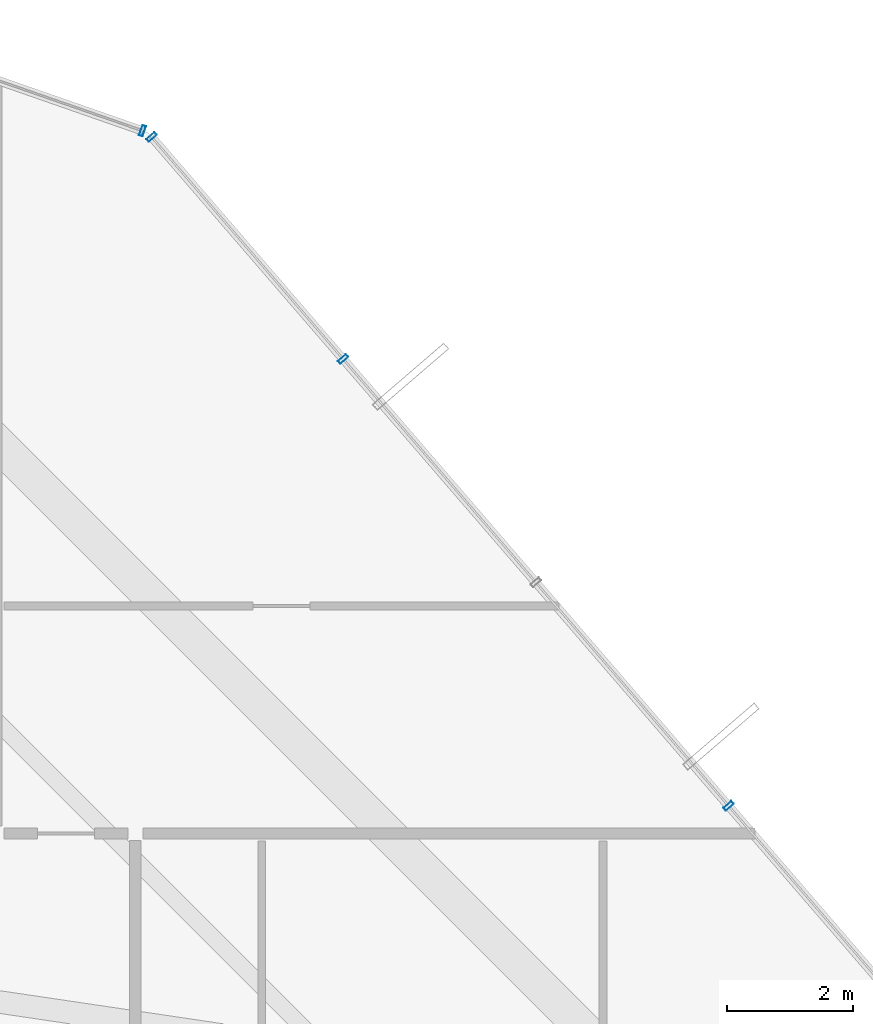
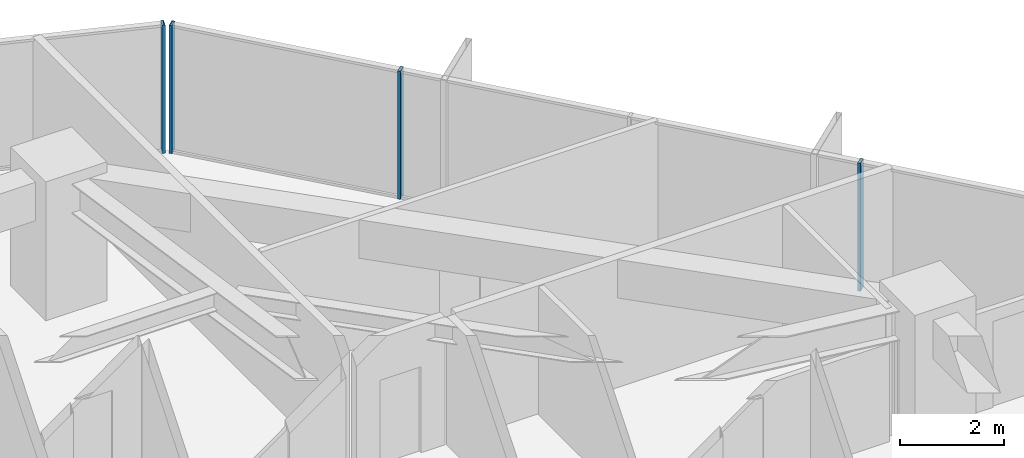
# One storey, part 31 of 38: 4 members, 2 elements without a shape of their own.
"""IFC4 building model written with IfcOpenShell, lengths in metres."""

from ifc_helpers import new_model, si_unit, direction, frame, origin, origin_2d, place, context, subcontext, project, spatial, hollow_rectangle, extrude, source, transform, mapped, material, layer, layer_set, material_profile, profile_set, type_object, element, aggregate, save


model = new_model("IFC4")

# Units and contexts
model_context = context("Model", 3, precision=1e-05, world=origin(), true_north=direction((0.0, 1.0)))
body_context = subcontext(model_context, "Body", "Model", "MODEL_VIEW")
ifc_project = project(units=[si_unit("LENGTHUNIT", "METRE"), si_unit("AREAUNIT", "SQUARE_METRE"), si_unit("VOLUMEUNIT", "CUBIC_METRE"), si_unit("PLANEANGLEUNIT", "RADIAN"), si_unit("MASSUNIT", "GRAM", prefix="KILO")], contexts=[model_context])

# Site, building, storey
site_placement = place(None, origin())
site = spatial("IfcSite", under=ifc_project, at=site_placement, CompositionType="ELEMENT")
building_placement = place(site_placement, origin())
building = spatial("IfcBuilding", under=site, at=building_placement, Name="Veraguas Prism Commons", CompositionType="ELEMENT")
storey_placement = place(building_placement, frame((0.0, 0.0, 60.85009765625)))
storey = spatial("IfcBuildingStorey", under=building, at=storey_placement, Name="L16", CompositionType="ELEMENT", Elevation=60.85009765625)

# Curtain wall, members
ifc_material = material(Name="Anodised aluminium EN AW-6063 T6", Category="aluminium")
ifc_layer = layer(ifc_material, 0.169921875, Name="Unitised Flush Curtain Wall Zone 1", Category="aluminium")
ifc_layer_set = layer_set([ifc_layer], Name="Anodised aluminium EN AW-6063 T6")
curtain_wall_type = type_object("IfcCurtainWallType", Name="Unitised Flush Curtain Wall Zone 1", PredefinedType="NOTDEFINED", material=ifc_layer_set)
curtain_wall_1_placement = place(storey_placement, origin())
curtain_wall_1 = element("IfcCurtainWall", 1, at=curtain_wall_1_placement, inside=storey, type_object=curtain_wall_type, Name="Tower Facade Curtain Wall L16-F1", PredefinedType="NOTDEFINED")
ifc_material_profile = material_profile(ifc_material, hollow_rectangle(XDim=0.06005859375, YDim=0.169921875, WallThickness=0.00390625, at=origin_2d()), Name="AL60X170X4")
ifc_profile_set = profile_set([ifc_material_profile], Name="Anodised aluminium EN AW-6063 T6")
member_type = type_object("IfcMemberType", Name="Curtain Wall Mullion Lower AL 60x170x4", PredefinedType="MULLION", material=ifc_profile_set)
shared_shape = source(origin(), body_context, "Body", "SweptSolid", [
    extrude(hollow_rectangle(XDim=0.06005859375, YDim=0.169921875, WallThickness=0.00390625, at=origin_2d()), origin(), (0.0, 0.0, 1.0), 3.0),
])
member_1_placement = place(storey_placement, frame((42.78955078125, 34.03857421875, 0.0), z_axis=(0.0, 0.0, 1.0), x_axis=(-0.653149715021, 0.757228796182, 0.0)))
member_1 = element("IfcMember", 2, at=member_1_placement, type_object=member_type, Name="CW-Z1 Mullion 2", PredefinedType="MULLION", context=body_context, shape_type="MappedRepresentation", body=[
    mapped(shared_shape, transform((0.0, 0.0, 0.0), scale=1.0)),
])
member_2_placement = place(storey_placement, frame((36.687744140625, 41.112548828125, 0.0), z_axis=(0.0, 0.0, 1.0), x_axis=(-0.653149715021, 0.757228796182, 0.0)))
member_2 = element("IfcMember", 3, at=member_2_placement, type_object=member_type, Name="CW-Z1 Mullion 4", PredefinedType="MULLION", context=body_context, shape_type="MappedRepresentation", body=[
    mapped(shared_shape, transform((0.0, 0.0, 0.0), scale=1.0)),
])
member_3_placement = place(storey_placement, frame((33.656494140625, 44.626953125, 0.0), z_axis=(0.0, 0.0, 1.0), x_axis=(-0.653149715021, 0.757228796182, 0.0)))
member_3 = element("IfcMember", 4, at=member_3_placement, type_object=member_type, Name="CW-Z1 Mullion 5", PredefinedType="MULLION", context=body_context, shape_type="MappedRepresentation", body=[
    mapped(shared_shape, transform((0.0, 0.0, 0.0), scale=1.0)),
])
aggregate(curtain_wall_1, [member_1, member_2, member_3])

# Curtain wall, member
curtain_wall_2_placement = place(storey_placement, origin())
curtain_wall_2 = element("IfcCurtainWall", 5, at=curtain_wall_2_placement, inside=storey, type_object=curtain_wall_type, Name="Chamfer Curtain Wall L16-C2", PredefinedType="NOTDEFINED")
member_4_placement = place(storey_placement, frame((33.5126953125, 44.724609375, 0.0), z_axis=(0.0, 0.0, 1.0), x_axis=(-0.944272432632, 0.329164963158, 0.0)))
member_4 = element("IfcMember", 6, at=member_4_placement, type_object=member_type, Name="CW-Z1 Mullion 1", PredefinedType="MULLION", context=body_context, shape_type="MappedRepresentation", body=[
    mapped(shared_shape, transform((0.0, 0.0, 0.0), scale=1.0)),
])
aggregate(curtain_wall_2, [member_4])

save(model, "model.ifc")
